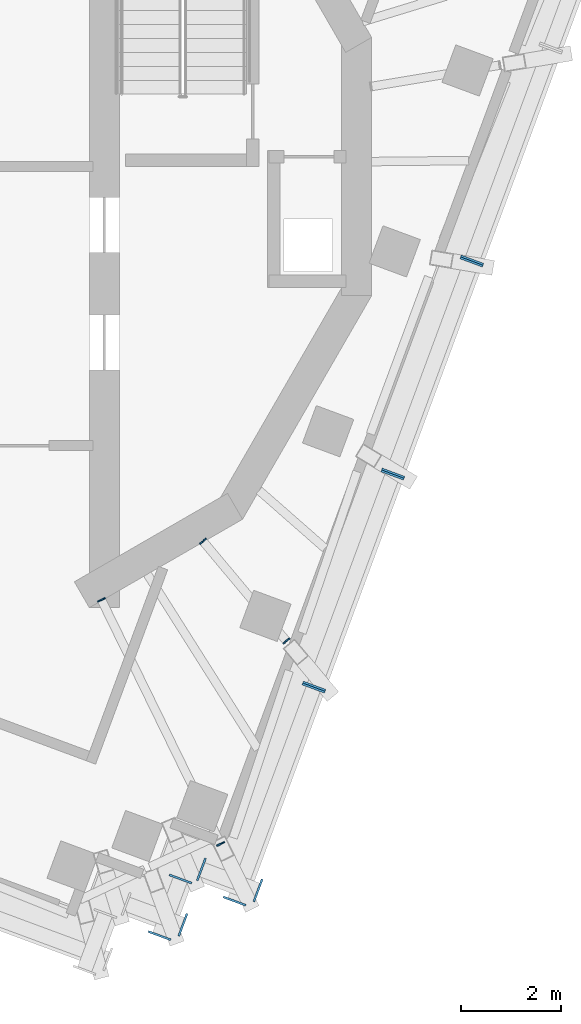
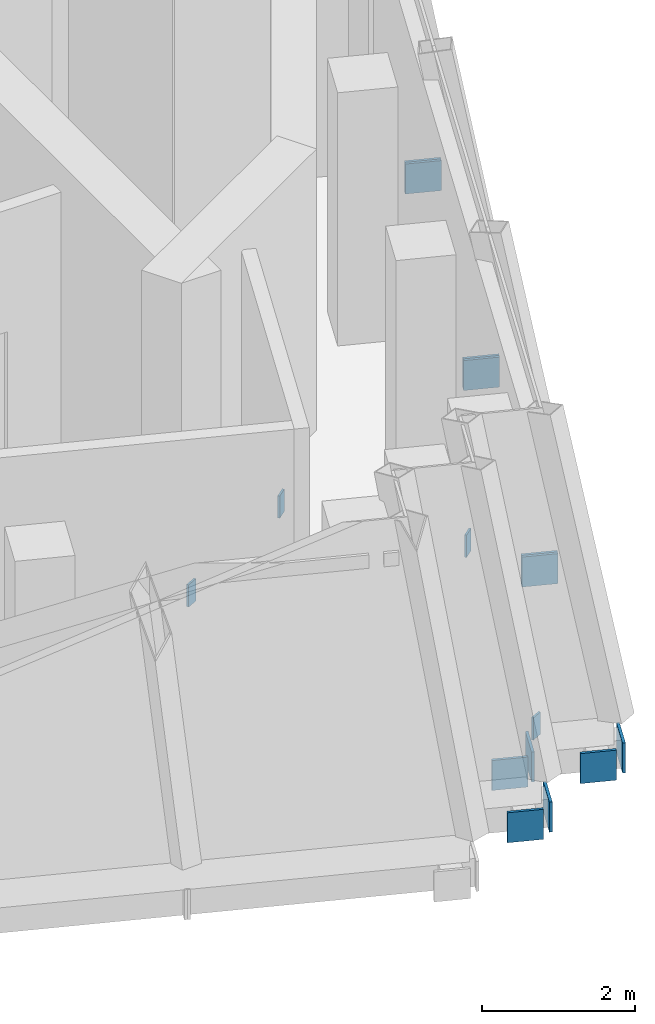
# One storey, part 8 of 11: 16 discrete accessories, 7 elements without a shape of their own.
"""IFC4 building model written with IfcOpenShell, lengths in metres."""

from ifc_helpers import new_model, si_unit, direction, frame, origin, place, context, subcontext, project, spatial, polyline, outline, extrude, material, layer, layer_set, type_object, element, aggregate, save


model = new_model("IFC4")

# Units and contexts
model_context = context("Model", 3, precision=1e-05, world=origin(), true_north=direction((0.0, 1.0)))
body_context = subcontext(model_context, "Body", "Model", "MODEL_VIEW")
ifc_project = project(units=[si_unit("LENGTHUNIT", "METRE"), si_unit("AREAUNIT", "SQUARE_METRE"), si_unit("VOLUMEUNIT", "CUBIC_METRE"), si_unit("PLANEANGLEUNIT", "RADIAN"), si_unit("MASSUNIT", "GRAM", prefix="KILO")], contexts=[model_context])

# Site, building, storey
site_placement = place(None, origin())
site = spatial("IfcSite", under=ifc_project, at=site_placement, CompositionType="ELEMENT")
building_placement = place(site_placement, origin())
building = spatial("IfcBuilding", under=site, at=building_placement, Name="Cantera Rosa Tower", CompositionType="ELEMENT")
storey_placement = place(building_placement, frame((0.0, 0.0, 365.199951171875)))
storey = spatial("IfcBuildingStorey", under=building, at=storey_placement, Name="L82", CompositionType="ELEMENT", Elevation=365.199951171875)

# Curtain wall, discrete accessory
ifc_material_1 = material(Name="Aluminium frame with clear glass", Category="aluminium")
curtain_wall_type = type_object("IfcCurtainWallType", Name="CW4 CROWN GLAZING", PredefinedType="NOTDEFINED", material=ifc_material_1)
curtain_wall_1_placement = place(storey_placement, origin())
curtain_wall_1 = element("IfcCurtainWall", 1, at=curtain_wall_1_placement, inside=storey, type_object=curtain_wall_type, Name="CW4 L82-25", PredefinedType="NOTDEFINED")
ifc_material_2 = material(Name="Steel S355J2 (EN 10025-2)", Category="steel")
ifc_layer = layer(ifc_material_2, 0.030029296875)
ifc_layer_set = layer_set([ifc_layer], Name="NODE PLATE 30")
discrete_accessory_type = type_object("IfcDiscreteAccessoryType", Name="NODE PLATE 30", PredefinedType="ANCHORPLATE", material=ifc_layer_set)
discrete_accessory_1_placement = place(storey_placement, frame((5.9775390625, -14.984130859375, -0.43505859375), z_axis=(0.937576914778, -0.347777987911, 0.0), x_axis=(-0.347777987911, -0.937576914778, 0.0)))
discrete_accessory_1 = element("IfcDiscreteAccessory", 2, at=discrete_accessory_1_placement, type_object=discrete_accessory_type, Name="END PLATE TE1", PredefinedType="ANCHORPLATE", context=body_context, shape_type="SweptSolid", body=[
    extrude(outline(polyline([(0.0, 0.0), (0.4801689391068604, 0.0), (0.4801689391068604, 0.47998046875), (0.0, 0.47998046875), (0.0, 0.0)])), origin(), (0.0, 0.0, -1.0), 0.0400390625),
])
aggregate(curtain_wall_1, [discrete_accessory_1])

# Curtain wall, discrete accessories
curtain_wall_2_placement = place(storey_placement, origin())
curtain_wall_2 = element("IfcCurtainWall", 3, at=curtain_wall_2_placement, inside=storey, type_object=curtain_wall_type, Name="CW4 L82-26", PredefinedType="NOTDEFINED")
discrete_accessory_2_placement = place(storey_placement, frame((5.625, -15.520751953125, -0.43505859375), z_axis=(-0.347496626235, -0.937681233018, 0.0), x_axis=(-0.937681233018, 0.347496626235, 0.0)))
discrete_accessory_2 = element("IfcDiscreteAccessory", 4, at=discrete_accessory_2_placement, type_object=discrete_accessory_type, Name="END PLATE TE0", PredefinedType="ANCHORPLATE", context=body_context, shape_type="SweptSolid", body=[
    extrude(outline(polyline([(0.0, 0.0), (0.4798551533622547, 0.0), (0.4798551533622547, 0.47998046875), (0.0, 0.47998046875), (0.0, 0.0)])), origin(), (0.0, 0.0, -1.0), 0.0400390625),
])
discrete_accessory_3_placement = place(storey_placement, frame((5.609619140625, -14.180908203125, -0.43505859375), z_axis=(0.347330918501, 0.937742626232, 0.0), x_axis=(0.937742626232, -0.347330918501, 0.0)))
discrete_accessory_3 = element("IfcDiscreteAccessory", 5, at=discrete_accessory_3_placement, type_object=discrete_accessory_type, Name="END PLATE TE1", PredefinedType="ANCHORPLATE", context=body_context, shape_type="SweptSolid", body=[
    extrude(outline(polyline([(0.0, 0.0), (0.4800840869406107, 0.0), (0.4800840869406107, 0.47998046875), (0.0, 0.47998046875), (0.0, 0.0)])), origin(), (0.0, 0.0, -1.0), 0.0400390625),
])
aggregate(curtain_wall_2, [discrete_accessory_2, discrete_accessory_3])

curtain_wall_3_placement = place(storey_placement, origin())
curtain_wall_3 = element("IfcCurtainWall", 6, at=curtain_wall_3_placement, inside=storey, type_object=curtain_wall_type, Name="CW4 L82-27", PredefinedType="NOTDEFINED")
discrete_accessory_4_placement = place(storey_placement, frame((6.143310546875, -14.308837890625, -0.43505859375), z_axis=(-0.937576914778, 0.347777987911, 0.0), x_axis=(0.347777987911, 0.937576914778, 0.0)))
discrete_accessory_4 = element("IfcDiscreteAccessory", 7, at=discrete_accessory_4_placement, type_object=discrete_accessory_type, Name="END PLATE TE0", PredefinedType="ANCHORPLATE", context=body_context, shape_type="SweptSolid", body=[
    extrude(outline(polyline([(0.0, 0.0), (0.4801689391068604, 0.0), (0.4801689391068604, 0.47998046875), (0.0, 0.47998046875), (0.0, 0.0)])), origin(), (0.0, 0.0, -1.0), 0.0400390625),
])
discrete_accessory_5_placement = place(storey_placement, frame((7.483154296875, -14.29345703125, -0.43505859375), z_axis=(0.937742626232, -0.347330918501, 0.0), x_axis=(-0.347330918501, -0.937742626232, 0.0)))
discrete_accessory_5 = element("IfcDiscreteAccessory", 8, at=discrete_accessory_5_placement, type_object=discrete_accessory_type, Name="END PLATE TE1", PredefinedType="ANCHORPLATE", context=body_context, shape_type="SweptSolid", body=[
    extrude(outline(polyline([(0.0, 0.0), (0.4800840869406107, 0.0), (0.4800840869406107, 0.47998046875), (0.0, 0.47998046875), (0.0, 0.0)])), origin(), (0.0, 0.0, -1.0), 0.0400390625),
])
aggregate(curtain_wall_3, [discrete_accessory_4, discrete_accessory_5])

curtain_wall_4_placement = place(storey_placement, origin())
curtain_wall_4 = element("IfcCurtainWall", 9, at=curtain_wall_4_placement, inside=storey, type_object=curtain_wall_type, Name="CW4 L82-28", PredefinedType="NOTDEFINED")
discrete_accessory_6_placement = place(storey_placement, frame((7.13037109375, -14.82861328125, -0.43505859375), z_axis=(-0.347330918501, -0.937742626232, 0.0), x_axis=(-0.937742626232, 0.347330918501, 0.0)))
discrete_accessory_6 = element("IfcDiscreteAccessory", 10, at=discrete_accessory_6_placement, type_object=discrete_accessory_type, Name="END PLATE TE0", PredefinedType="ANCHORPLATE", context=body_context, shape_type="SweptSolid", body=[
    extrude(outline(polyline([(0.0, 0.0), (0.4800840869406107, 0.0), (0.4800840869406107, 0.47998046875), (0.0, 0.47998046875), (0.0, 0.0)])), origin(), (0.0, 0.0, -1.0), 0.0400390625),
])
discrete_accessory_7_placement = place(storey_placement, frame((8.290771484375, -10.31591796875, -0.43505859375), z_axis=(0.347330918501, 0.937742626232, 0.0), x_axis=(0.937742626232, -0.347330918501, 0.0)))
discrete_accessory_7 = element("IfcDiscreteAccessory", 11, at=discrete_accessory_7_placement, type_object=discrete_accessory_type, Name="END PLATE TE1", PredefinedType="ANCHORPLATE", context=body_context, shape_type="SweptSolid", body=[
    extrude(outline(polyline([(0.0, 0.0), (0.4800840869406107, 0.0), (0.4800840869406107, 0.47998046875), (0.0, 0.47998046875), (0.0, 0.0)])), origin(), (0.0, 0.0, -1.0), 0.0400390625),
])
aggregate(curtain_wall_4, [discrete_accessory_6, discrete_accessory_7])

curtain_wall_5_placement = place(storey_placement, origin())
curtain_wall_5 = element("IfcCurtainWall", 12, at=curtain_wall_5_placement, inside=storey, type_object=curtain_wall_type, Name="CW4 L82-29", PredefinedType="NOTDEFINED")
discrete_accessory_8_placement = place(storey_placement, frame((8.713134765625, -10.5576171875, -0.43505859375), z_axis=(-0.347330918501, -0.937742626232, 0.0), x_axis=(-0.937742626232, 0.347330918501, 0.0)))
discrete_accessory_8 = element("IfcDiscreteAccessory", 13, at=discrete_accessory_8_placement, type_object=discrete_accessory_type, Name="END PLATE TE0", PredefinedType="ANCHORPLATE", context=body_context, shape_type="SweptSolid", body=[
    extrude(outline(polyline([(0.0, 0.0), (0.4800840869406107, 0.0), (0.4800840869406107, 0.47998046875), (0.0, 0.47998046875), (0.0, 0.0)])), origin(), (0.0, 0.0, -1.0), 0.0400390625),
])
discrete_accessory_9_placement = place(storey_placement, frame((9.87353515625, -6.044921875, -0.43505859375), z_axis=(0.347496626235, 0.937681233018, 0.0), x_axis=(0.937681233018, -0.347496626235, 0.0)))
discrete_accessory_9 = element("IfcDiscreteAccessory", 14, at=discrete_accessory_9_placement, type_object=discrete_accessory_type, Name="END PLATE TE1", PredefinedType="ANCHORPLATE", context=body_context, shape_type="SweptSolid", body=[
    extrude(outline(polyline([(0.0, 0.0), (0.4798551533622547, 0.0), (0.4798551533622547, 0.47998046875), (0.0, 0.47998046875), (0.0, 0.0)])), origin(), (0.0, 0.0, -1.0), 0.0400390625),
])
aggregate(curtain_wall_5, [discrete_accessory_8, discrete_accessory_9])

curtain_wall_6_placement = place(storey_placement, origin())
curtain_wall_6 = element("IfcCurtainWall", 15, at=curtain_wall_6_placement, inside=storey, type_object=curtain_wall_type, Name="CW4 L82-30", PredefinedType="NOTDEFINED")
discrete_accessory_10_placement = place(storey_placement, frame((10.295654296875, -6.28662109375, -0.43505859375), z_axis=(-0.347496626235, -0.937681233018, 0.0), x_axis=(-0.937681233018, 0.347496626235, 0.0)))
discrete_accessory_10 = element("IfcDiscreteAccessory", 16, at=discrete_accessory_10_placement, type_object=discrete_accessory_type, Name="END PLATE TE0", PredefinedType="ANCHORPLATE", context=body_context, shape_type="SweptSolid", body=[
    extrude(outline(polyline([(0.0, 0.0), (0.4798551533622547, 0.0), (0.4798551533622547, 0.47998046875), (0.0, 0.47998046875), (0.0, 0.0)])), origin(), (0.0, 0.0, -1.0), 0.0400390625),
])
discrete_accessory_11_placement = place(storey_placement, frame((11.4560546875, -1.77392578125, -0.43505859375), z_axis=(0.347330918501, 0.937742626232, 0.0), x_axis=(0.937742626232, -0.347330918501, 0.0)))
discrete_accessory_11 = element("IfcDiscreteAccessory", 17, at=discrete_accessory_11_placement, type_object=discrete_accessory_type, Name="END PLATE TE1", PredefinedType="ANCHORPLATE", context=body_context, shape_type="SweptSolid", body=[
    extrude(outline(polyline([(0.0, 0.0), (0.4800840869406107, 0.0), (0.4800840869406107, 0.47998046875), (0.0, 0.47998046875), (0.0, 0.0)])), origin(), (0.0, 0.0, -1.0), 0.0400390625),
])
aggregate(curtain_wall_6, [discrete_accessory_10, discrete_accessory_11])

# Curtain wall, discrete accessory
curtain_wall_7_placement = place(storey_placement, origin())
curtain_wall_7 = element("IfcCurtainWall", 18, at=curtain_wall_7_placement, inside=storey, type_object=curtain_wall_type, Name="CW4 L82-31", PredefinedType="NOTDEFINED")
discrete_accessory_12_placement = place(storey_placement, frame((11.87841796875, -2.015869140625, -0.43505859375), z_axis=(-0.347943850259, -0.93751537431, 0.0), x_axis=(-0.93751537431, 0.347943850259, 0.0)))
discrete_accessory_12 = element("IfcDiscreteAccessory", 19, at=discrete_accessory_12_placement, type_object=discrete_accessory_type, Name="END PLATE TE0", PredefinedType="ANCHORPLATE", context=body_context, shape_type="SweptSolid", body=[
    extrude(outline(polyline([(0.0, 0.0), (0.47994004600337425, 0.0), (0.47994004600337425, 0.47998046875), (0.0, 0.47998046875), (0.0, 0.0)])), origin(), (0.0, 0.0, -1.0), 0.0400390625),
])
aggregate(curtain_wall_7, [discrete_accessory_12])

# Discrete accessories
discrete_accessory_13_placement = place(storey_placement, frame((0.0, 0.0, -0.805908203125)))
element("IfcDiscreteAccessory", 20, at=discrete_accessory_13_placement, inside=storey, type_object=discrete_accessory_type, Name="END PLATE CG-Z6-09 L82 A", PredefinedType="ANCHORPLATE", context=body_context, shape_type="SweptSolid", body=[
    extrude(outline(polyline([(6.703125, -13.52880859375), (6.716064453125, -13.5556640625), (6.5625, -13.630859375), (6.54931640625, -13.603759765625), (6.703125, -13.52880859375)])), origin(), (0.0, 0.0, 1.0), 0.35595703125),
])
discrete_accessory_14_placement = place(storey_placement, frame((0.0, 0.0, -0.805908203125)))
element("IfcDiscreteAccessory", 21, at=discrete_accessory_14_placement, inside=storey, type_object=discrete_accessory_type, Name="END PLATE CG-Z6-09 L82 B", PredefinedType="ANCHORPLATE", context=body_context, shape_type="SweptSolid", body=[
    extrude(outline(polyline([(4.172607421875, -8.73779296875), (4.159423828125, -8.710693359375), (4.31298828125, -8.6357421875), (4.326171875, -8.66259765625), (4.172607421875, -8.73779296875)])), origin(), (0.0, 0.0, 1.0), 0.35595703125),
])
discrete_accessory_15_placement = place(storey_placement, frame((0.0, 0.0, -0.805908203125)))
element("IfcDiscreteAccessory", 22, at=discrete_accessory_15_placement, inside=storey, type_object=discrete_accessory_type, Name="END PLATE CG-Z6-10 L82 A", PredefinedType="ANCHORPLATE", context=body_context, shape_type="SweptSolid", body=[
    extrude(outline(polyline([(8.006591796875, -9.4443359375), (8.02587890625, -9.46728515625), (7.894775390625, -9.5771484375), (7.87548828125, -9.553955078125), (8.006591796875, -9.4443359375)])), origin(), (0.0, 0.0, 1.0), 0.35595703125),
])
discrete_accessory_16_placement = place(storey_placement, frame((0.0, 0.0, -0.805908203125)))
element("IfcDiscreteAccessory", 23, at=discrete_accessory_16_placement, inside=storey, type_object=discrete_accessory_type, Name="END PLATE CG-Z6-10 L82 B", PredefinedType="ANCHORPLATE", context=body_context, shape_type="SweptSolid", body=[
    extrude(outline(polyline([(6.22314453125, -7.57763671875), (6.203857421875, -7.554443359375), (6.335205078125, -7.44482421875), (6.354248046875, -7.4677734375), (6.22314453125, -7.57763671875)])), origin(), (0.0, 0.0, 1.0), 0.35595703125),
])

save(model, "model.ifc")
